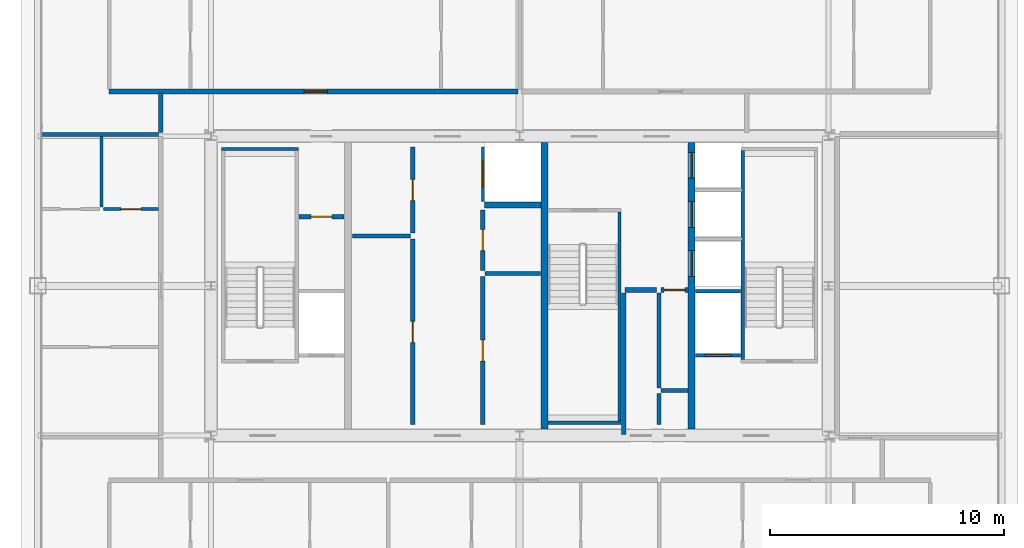
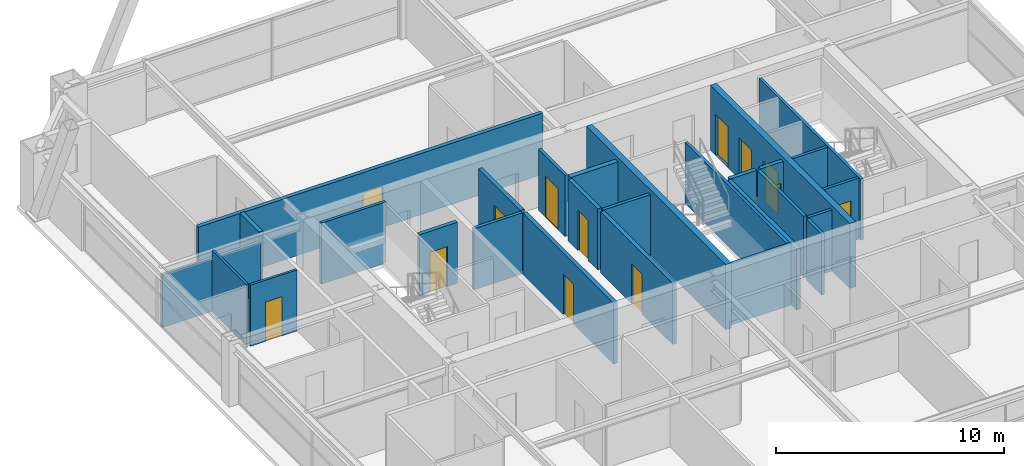
# One storey, part 32 of 35: 28 walls, 13 doors, 13 openings.
"""IFC4 building model written with IfcOpenShell, lengths in metres."""

from ifc_helpers import new_model, si_unit, direction, frame, frame_2d, origin, place, context, subcontext, project, spatial, rectangle, extrude, source, transform, mapped, material, layer, layer_set, type_object, element, fill, save


model = new_model("IFC4")

# Units and contexts
model_context = context("Model", 3, precision=1e-05, world=origin(), true_north=direction((0.0, 1.0)))
body_context = subcontext(model_context, "Body", "Model", "MODEL_VIEW")
ifc_project = project(units=[si_unit("LENGTHUNIT", "METRE"), si_unit("AREAUNIT", "SQUARE_METRE"), si_unit("VOLUMEUNIT", "CUBIC_METRE"), si_unit("PLANEANGLEUNIT", "RADIAN"), si_unit("MASSUNIT", "GRAM", prefix="KILO"), si_unit("THERMODYNAMICTEMPERATUREUNIT", "KELVIN"), si_unit("POWERUNIT", "WATT")], contexts=[model_context])

# Site, building, storey
site_placement = place(None, origin())
site = spatial("IfcSite", under=ifc_project, at=site_placement, CompositionType="ELEMENT")
building_placement = place(site_placement, origin())
building = spatial("IfcBuilding", under=site, at=building_placement, Name="Yuzanri Waterfront Tower", CompositionType="ELEMENT")
storey_placement = place(building_placement, frame((0.0, 0.0, 271.60009765625)))
storey = spatial("IfcBuildingStorey", under=building, at=storey_placement, Name="L72", CompositionType="ELEMENT", Elevation=271.60009765625)

# Wall, opening, door
ifc_material_1 = material(Name="Moisture-Resistant Gypsum Stud Wall", Category="gypsum")
ifc_layer_1 = layer(ifc_material_1, 0.1201171875)
ifc_layer_set_1 = layer_set([ifc_layer_1], Name="Moisture-Resistant Gypsum Stud Wall")
wall_type_1 = type_object("IfcWallType", Name="Bathroom and Kitchen Wet Partition 120", PredefinedType="PARTITIONING", material=ifc_layer_set_1)
wall_1_placement = place(storey_placement, frame((19.195068359375, 29.080078125, 0.0), z_axis=(0.0, 0.0, 1.0), x_axis=(1.0, 0.0, 0.0)))
wall_1 = element("IfcWall", 1, at=wall_1_placement, inside=storey, type_object=wall_type_1, Name="L72 Partition UW-L72-HW1-SUB-2-S", PredefinedType="PARTITIONING", context=body_context, shape_type="SweptSolid", body=[
    extrude(rectangle(XDim=2.35498046875, YDim=0.1201171875, at=frame_2d((1.177490234375, 0.0))), origin(), (0.0, 0.0, 1.0), 3.27978515625),
])
opening_1_placement = place(wall_1_placement, frame((0.75244140625, 0.0, 0.0)))
opening_1 = element("IfcOpeningElement", 2, at=opening_1_placement, cuts=wall_1, Name="Opening ID-0850", PredefinedType="OPENING", context=body_context, shape_type="SweptSolid", body=[
    extrude(rectangle(XDim=0.85009765625, YDim=2.10009765625, at=frame_2d((0.425048828125, 1.050048828125))), frame((0.0, 0.074951171875, 0.0), z_axis=(0.0, -1.0, 0.0), x_axis=(1.0, 0.0, 0.0)), (0.0, 0.0, 1.0), 0.14990234375),
])
ifc_material_2 = material(Name="Moisture-Resistant Lacquered Timber", Category="wood")
door_type_1 = type_object("IfcDoorType", Name="En-Suite Bathroom and Kitchen Swing Door 850x2100", OperationType="NOTDEFINED", PredefinedType="DOOR", material=ifc_material_2)
shared_shape_1 = source(origin(), body_context, "Body", "SweptSolid", [
    extrude(rectangle(XDim=0.85009765625, YDim=2.10009765625, at=frame_2d((0.425048828125, 1.050048828125))), frame((0.0, 0.02490234375, 0.0), z_axis=(0.0, -1.0, 0.0), x_axis=(1.0, 0.0, 0.0)), (0.0, 0.0, 1.0), 0.050048828125),
])
door_1_placement = place(opening_1_placement, origin())
door_1 = element("IfcDoor", 3, at=door_1_placement, inside=storey, type_object=door_type_1, Name="L72 Suite Interior Room Door", OperationType="SINGLE_SWING_RIGHT", OverallHeight=2.10009765625, OverallWidth=0.85009765625, PredefinedType="DOOR", context=body_context, shape_type="MappedRepresentation", body=[
    mapped(shared_shape_1, transform((0.0, 0.0, 0.0), scale=1.0)),
])
fill(opening_1, door_1)

# Wall, openings, doors
ifc_material_3 = material(Name="Concrete C50", Category="concrete")
ifc_layer_2 = layer(ifc_material_3, 0.300048828125)
ifc_layer_set_2 = layer_set([ifc_layer_2], Name="Concrete C50")
wall_type_2 = type_object("IfcWallType", Name="Concrete C50 Internal Core Shaft Structural Wall 300", PredefinedType="SOLIDWALL", material=ifc_layer_set_2)
wall_2_placement = place(storey_placement, frame((44.35009765625, 19.675048828125, 0.0), z_axis=(0.0, 0.0, 1.0), x_axis=(0.0, 1.0, 0.0)))
wall_2 = element("IfcWall", 4, at=wall_2_placement, inside=storey, type_object=wall_type_2, Name="L72 Core Internal Structural Web Wall 3", PredefinedType="SOLIDWALL", context=body_context, shape_type="SweptSolid", body=[
    extrude(rectangle(XDim=12.25, YDim=0.300048828125, at=frame_2d((6.125, 0.0))), origin(), (0.0, 0.0, 1.0), 3.5),
])
opening_2_placement = place(wall_2_placement, frame((6.52490234375, 0.0, 0.0)))
opening_2 = element("IfcOpeningElement", 5, at=opening_2_placement, cuts=wall_2, Name="Opening LD-PL-09", PredefinedType="OPENING", context=body_context, shape_type="SweptSolid", body=[
    extrude(rectangle(XDim=1.10009765625, YDim=2.199951171875, at=frame_2d((0.550048828125, 1.10009765625))), frame((0.0, 0.1650390625, 0.0), z_axis=(0.0, -1.0, 0.0), x_axis=(1.0, 0.0, 0.0)), (0.0, 0.0, 1.0), 0.329833984375),
])
opening_3_placement = place(wall_2_placement, frame((8.625, 0.0, 0.0)))
opening_3 = element("IfcOpeningElement", 6, at=opening_3_placement, cuts=wall_2, Name="Opening LD-PL-10", PredefinedType="OPENING", context=body_context, shape_type="SweptSolid", body=[
    extrude(rectangle(XDim=1.10009765625, YDim=2.199951171875, at=frame_2d((0.550048828125, 1.10009765625))), frame((0.0, 0.1650390625, 0.0), z_axis=(0.0, -1.0, 0.0), x_axis=(1.0, 0.0, 0.0)), (0.0, 0.0, 1.0), 0.329833984375),
])
opening_4_placement = place(wall_2_placement, frame((10.72509765625, 0.0, 0.0)))
opening_4 = element("IfcOpeningElement", 7, at=opening_4_placement, cuts=wall_2, Name="Opening LD-PL-11", PredefinedType="OPENING", context=body_context, shape_type="SweptSolid", body=[
    extrude(rectangle(XDim=1.10009765625, YDim=2.199951171875, at=frame_2d((0.550048828125, 1.10009765625))), frame((0.0, 0.1650390625, 0.0), z_axis=(0.0, -1.0, 0.0), x_axis=(1.0, 0.0, 0.0)), (0.0, 0.0, 1.0), 0.329833984375),
])
ifc_material_4 = material(Name="Brushed Bronze and Stainless Steel Cab", Category="steel")
door_type_2 = type_object("IfcDoorType", Name="Center-Parting Bronze Lift Landing Sliding Door 1100x2200", OperationType="NOTDEFINED", PredefinedType="DOOR", material=ifc_material_4)
shared_shape_2 = source(origin(), body_context, "Body", "SweptSolid", [
    extrude(rectangle(XDim=1.10009765625, YDim=2.199951171875, at=frame_2d((0.550048828125, 1.10009765625))), frame((0.0, 0.02490234375, 0.0), z_axis=(0.0, -1.0, 0.0), x_axis=(1.0, 0.0, 0.0)), (0.0, 0.0, 1.0), 0.050048828125),
])
door_2_placement = place(opening_2_placement, origin())
door_2 = element("IfcDoor", 8, at=door_2_placement, inside=storey, type_object=door_type_2, Name="L72 PL-09 Lift Landing Sliding Door", OperationType="SLIDING_TO_LEFT", OverallHeight=2.199951171875, OverallWidth=1.10009765625, PredefinedType="DOOR", context=body_context, shape_type="MappedRepresentation", body=[
    mapped(shared_shape_2, transform((0.0, 0.0, 0.0), scale=1.0)),
])
fill(opening_2, door_2)
door_3_placement = place(opening_3_placement, origin())
door_3 = element("IfcDoor", 9, at=door_3_placement, inside=storey, type_object=door_type_2, Name="L72 PL-10 Lift Landing Sliding Door", OperationType="SLIDING_TO_RIGHT", OverallHeight=2.199951171875, OverallWidth=1.10009765625, PredefinedType="DOOR", context=body_context, shape_type="MappedRepresentation", body=[
    mapped(shared_shape_2, transform((0.0, 0.0, 0.0), scale=1.0)),
])
fill(opening_3, door_3)
door_4_placement = place(opening_4_placement, origin())
door_4 = element("IfcDoor", 10, at=door_4_placement, inside=storey, type_object=door_type_2, Name="L72 PL-11 Lift Landing Sliding Door", OperationType="SLIDING_TO_LEFT", OverallHeight=2.199951171875, OverallWidth=1.10009765625, PredefinedType="DOOR", context=body_context, shape_type="MappedRepresentation", body=[
    mapped(shared_shape_2, transform((0.0, 0.0, 0.0), scale=1.0)),
])
fill(opening_4, door_4)

# Wall, opening, door
ifc_material_5 = material(Name="Concrete C40", Category="concrete")
ifc_layer_3 = layer(ifc_material_5, 0.139892578125)
ifc_layer_set_3 = layer_set([ifc_layer_3], Name="Concrete C40")
wall_type_3 = type_object("IfcWallType", Name="Core Stair Liner and Hoistway Shaft Wall 140", PredefinedType="SOLIDWALL", material=ifc_layer_set_3)
wall_3_placement = place(storey_placement, frame((44.52001953125, 22.830078125, 0.0), z_axis=(0.0, 0.0, 1.0), x_axis=(1.0, 0.0, 0.0)))
wall_3 = element("IfcWall", 11, at=wall_3_placement, inside=storey, type_object=wall_type_3, Name="L72 Lift FL-02 Front Shaft Wall", PredefinedType="SOLIDWALL", context=body_context, shape_type="SweptSolid", body=[
    extrude(rectangle(XDim=1.919921875, YDim=0.139892578125, at=frame_2d((0.9599609375, 0.0))), origin(), (0.0, 0.0, 1.0), 3.27978515625),
])
opening_5_placement = place(wall_3_placement, frame((0.409912109375, 0.0, 0.0)))
opening_5 = element("IfcOpeningElement", 12, at=opening_5_placement, cuts=wall_3, Name="Opening LD-FL-02", PredefinedType="OPENING", context=body_context, shape_type="SweptSolid", body=[
    extrude(rectangle(XDim=1.10009765625, YDim=2.199951171875, at=frame_2d((0.550048828125, 1.10009765625))), frame((0.0, 0.0849609375, 0.0), z_axis=(0.0, -1.0, 0.0), x_axis=(1.0, 0.0, 0.0)), (0.0, 0.0, 1.0), 0.169677734375),
])
door_5_placement = place(opening_5_placement, origin())
door_5 = element("IfcDoor", 13, at=door_5_placement, inside=storey, type_object=door_type_2, Name="L72 FL-02 Lift Landing Sliding Door", OperationType="SLIDING_TO_RIGHT", OverallHeight=2.199951171875, OverallWidth=1.10009765625, PredefinedType="DOOR", context=body_context, shape_type="MappedRepresentation", body=[
    mapped(shared_shape_2, transform((0.0, 0.0, 0.0), scale=1.0)),
])
fill(opening_5, door_5)

wall_4_placement = place(storey_placement, frame((35.429931640625, 29.39990234375, 0.0), z_axis=(0.0, 0.0, 1.0), x_axis=(0.0, 1.0, 0.0)))
wall_4 = element("IfcWall", 14, at=wall_4_placement, inside=storey, type_object=wall_type_3, Name="L72 Lift SL-02 Front Shaft Wall", PredefinedType="SOLIDWALL", context=body_context, shape_type="SweptSolid", body=[
    extrude(rectangle(XDim=2.340087890625, YDim=0.139892578125, at=frame_2d((1.169921875, 0.0))), origin(), (0.0, 0.0, 1.0), 3.27978515625),
])
opening_6_placement = place(wall_4_placement, frame((0.6201171875, 0.0, 0.0)))
opening_6 = element("IfcOpeningElement", 15, at=opening_6_placement, cuts=wall_4, Name="Opening LD-SL-02", PredefinedType="OPENING", context=body_context, shape_type="SweptSolid", body=[
    extrude(rectangle(XDim=1.10009765625, YDim=2.199951171875, at=frame_2d((0.550048828125, 1.10009765625))), frame((0.0, 0.0849609375, 0.0), z_axis=(0.0, -1.0, 0.0), x_axis=(1.0, 0.0, 0.0)), (0.0, 0.0, 1.0), 0.169677734375),
])
door_6_placement = place(opening_6_placement, origin())
door_6 = element("IfcDoor", 16, at=door_6_placement, inside=storey, type_object=door_type_2, Name="L72 SL-02 Lift Landing Sliding Door", OperationType="SLIDING_TO_RIGHT", OverallHeight=2.199951171875, OverallWidth=1.10009765625, PredefinedType="DOOR", context=body_context, shape_type="MappedRepresentation", body=[
    mapped(shared_shape_2, transform((0.0, 0.0, 0.0), scale=1.0)),
])
fill(opening_6, door_6)

ifc_material_6 = material(Name="Autoclaved Aerated Concrete Blockwork", Category="masonry")
ifc_layer_4 = layer(ifc_material_6, 0.199951171875)
ifc_layer_set_4 = layer_set([ifc_layer_4], Name="Autoclaved Aerated Concrete Blockwork")
wall_type_4 = type_object("IfcWallType", Name="Corridor and Unit Party Fire Wall 200", PredefinedType="PARTITIONING", material=ifc_layer_set_4)
wall_5_placement = place(storey_placement, frame((27.56005859375, 28.75, 0.0), z_axis=(0.0, 0.0, 1.0), x_axis=(1.0, 0.0, 0.0)))
wall_5 = element("IfcWall", 17, at=wall_5_placement, inside=storey, type_object=wall_type_4, Name="L72 Partition CRW-L72-ERTR", PredefinedType="PARTITIONING", context=body_context, shape_type="SweptSolid", body=[
    extrude(rectangle(XDim=1.919921875, YDim=0.199951171875, at=frame_2d((0.9599609375, 0.0))), origin(), (0.0, 0.0, 1.0), 3.27978515625),
])
opening_7_placement = place(wall_5_placement, frame((0.510009765625, 0.0, 0.0)))
opening_7 = element("IfcOpeningElement", 18, at=opening_7_placement, cuts=wall_5, Name="Opening FD-0900", PredefinedType="OPENING", context=body_context, shape_type="SweptSolid", body=[
    extrude(rectangle(XDim=0.89990234375, YDim=2.14990234375, at=frame_2d((0.449951171875, 1.074951171875))), frame((0.0, 0.11474609375, 0.0), z_axis=(0.0, -1.0, 0.0), x_axis=(1.0, 0.0, 0.0)), (0.0, 0.0, 1.0), 0.229736328125),
])
ifc_material_7 = material(Name="Painted Galvanized Fire Steel", Category="steel")
door_type_3 = type_object("IfcDoorType", Name="Riser and Service Room Fire Door 900x2150", OperationType="NOTDEFINED", PredefinedType="DOOR", material=ifc_material_7)
shared_shape_3 = source(origin(), body_context, "Body", "SweptSolid", [
    extrude(rectangle(XDim=0.89990234375, YDim=2.14990234375, at=frame_2d((0.449951171875, 1.074951171875))), frame((0.0, 0.02490234375, 0.0), z_axis=(0.0, -1.0, 0.0), x_axis=(1.0, 0.0, 0.0)), (0.0, 0.0, 1.0), 0.050048828125),
])
door_7_placement = place(opening_7_placement, origin())
door_7 = element("IfcDoor", 19, at=door_7_placement, inside=storey, type_object=door_type_3, Name="L72 Electrical Riser Door", OperationType="SINGLE_SWING_LEFT", OverallHeight=2.14990234375, OverallWidth=0.89990234375, PredefinedType="DOOR", context=body_context, shape_type="MappedRepresentation", body=[
    mapped(shared_shape_3, transform((0.0, 0.0, 0.0), scale=1.0)),
])
fill(opening_7, door_7)

wall_6_placement = place(storey_placement, frame((32.419921875, 19.860107421875, 0.0), z_axis=(0.0, 0.0, 1.0), x_axis=(0.0, 1.0, 0.0)))
wall_6 = element("IfcWall", 20, at=wall_6_placement, inside=storey, type_object=wall_type_4, Name="L72 Partition CRW-L72-B1R-1", PredefinedType="PARTITIONING", context=body_context, shape_type="SweptSolid", body=[
    extrude(rectangle(XDim=7.93994140625, YDim=0.199951171875, at=frame_2d((3.969970703125, 0.0))), origin(), (0.0, 0.0, 1.0), 3.27978515625),
])
opening_8_placement = place(wall_6_placement, frame((3.52001953125, 0.0, 0.0)))
opening_8 = element("IfcOpeningElement", 21, at=opening_8_placement, cuts=wall_6, Name="Opening FD-0900", PredefinedType="OPENING", context=body_context, shape_type="SweptSolid", body=[
    extrude(rectangle(XDim=0.89990234375, YDim=2.14990234375, at=frame_2d((0.449951171875, 1.074951171875))), frame((0.0, 0.11474609375, 0.0), z_axis=(0.0, -1.0, 0.0), x_axis=(1.0, 0.0, 0.0)), (0.0, 0.0, 1.0), 0.229736328125),
])
door_8_placement = place(opening_8_placement, origin())
door_8 = element("IfcDoor", 22, at=door_8_placement, inside=storey, type_object=door_type_3, Name="L72 General Store Room", OperationType="SINGLE_SWING_RIGHT", OverallHeight=2.14990234375, OverallWidth=0.89990234375, PredefinedType="DOOR", context=body_context, shape_type="MappedRepresentation", body=[
    mapped(shared_shape_3, transform((0.0, 0.0, 0.0), scale=1.0)),
])
fill(opening_8, door_8)

wall_7_placement = place(storey_placement, frame((32.419921875, 28.050048828125, 0.0), z_axis=(0.0, 0.0, 1.0), x_axis=(0.0, 1.0, 0.0)))
wall_7 = element("IfcWall", 23, at=wall_7_placement, inside=storey, type_object=wall_type_4, Name="L72 Partition CRW-L72-B1R-2", PredefinedType="PARTITIONING", context=body_context, shape_type="SweptSolid", body=[
    extrude(rectangle(XDim=3.68994140625, YDim=0.199951171875, at=frame_2d((1.844970703125, 0.0))), origin(), (0.0, 0.0, 1.0), 3.27978515625),
])
opening_9_placement = place(wall_7_placement, frame((1.39501953125, 0.0, 0.0)))
opening_9 = element("IfcOpeningElement", 24, at=opening_9_placement, cuts=wall_7, Name="Opening FD-0900", PredefinedType="OPENING", context=body_context, shape_type="SweptSolid", body=[
    extrude(rectangle(XDim=0.89990234375, YDim=2.14990234375, at=frame_2d((0.449951171875, 1.074951171875))), frame((0.0, 0.11474609375, 0.0), z_axis=(0.0, -1.0, 0.0), x_axis=(1.0, 0.0, 0.0)), (0.0, 0.0, 1.0), 0.229736328125),
])
door_9_placement = place(opening_9_placement, origin())
door_9 = element("IfcDoor", 25, at=door_9_placement, inside=storey, type_object=door_type_3, Name="L72 Water Riser Shaft", OperationType="SINGLE_SWING_LEFT", OverallHeight=2.14990234375, OverallWidth=0.89990234375, PredefinedType="DOOR", context=body_context, shape_type="MappedRepresentation", body=[
    mapped(shared_shape_3, transform((0.0, 0.0, 0.0), scale=1.0)),
])
fill(opening_9, door_9)

wall_8_placement = place(storey_placement, frame((35.419921875, 19.860107421875, 0.0), z_axis=(0.0, 0.0, 1.0), x_axis=(0.0, 1.0, 0.0)))
wall_8 = element("IfcWall", 26, at=wall_8_placement, inside=storey, type_object=wall_type_4, Name="L72 Partition CRW-L72-B2R-1", PredefinedType="PARTITIONING", context=body_context, shape_type="SweptSolid", body=[
    extrude(rectangle(XDim=6.33984375, YDim=0.199951171875, at=frame_2d((3.169921875, 0.0))), origin(), (0.0, 0.0, 1.0), 3.27978515625),
])
opening_10_placement = place(wall_8_placement, frame((2.719970703125, 0.0, 0.0)))
opening_10 = element("IfcOpeningElement", 27, at=opening_10_placement, cuts=wall_8, Name="Opening FD-0900", PredefinedType="OPENING", context=body_context, shape_type="SweptSolid", body=[
    extrude(rectangle(XDim=0.89990234375, YDim=2.14990234375, at=frame_2d((0.449951171875, 1.074951171875))), frame((0.0, 0.11474609375, 0.0), z_axis=(0.0, -1.0, 0.0), x_axis=(1.0, 0.0, 0.0)), (0.0, 0.0, 1.0), 0.229736328125),
])
door_10_placement = place(opening_10_placement, origin())
door_10 = element("IfcDoor", 28, at=door_10_placement, inside=storey, type_object=door_type_3, Name="L72 Upper Service Store Room", OperationType="SINGLE_SWING_RIGHT", OverallHeight=2.14990234375, OverallWidth=0.89990234375, PredefinedType="DOOR", context=body_context, shape_type="MappedRepresentation", body=[
    mapped(shared_shape_3, transform((0.0, 0.0, 0.0), scale=1.0)),
])
fill(opening_10, door_10)

wall_9_placement = place(storey_placement, frame((35.419921875, 26.449951171875, 0.0), z_axis=(0.0, 0.0, 1.0), x_axis=(0.0, 1.0, 0.0)))
wall_9 = element("IfcWall", 29, at=wall_9_placement, inside=storey, type_object=wall_type_4, Name="L72 Partition CRW-L72-B2R-2", PredefinedType="PARTITIONING", context=body_context, shape_type="SweptSolid", body=[
    extrude(rectangle(XDim=2.60009765625, YDim=0.199951171875, at=frame_2d((1.300048828125, 0.0))), origin(), (0.0, 0.0, 1.0), 3.27978515625),
])
opening_11_placement = place(wall_9_placement, frame((0.85009765625, 0.0, 0.0)))
opening_11 = element("IfcOpeningElement", 30, at=opening_11_placement, cuts=wall_9, Name="Opening FD-0900", PredefinedType="OPENING", context=body_context, shape_type="SweptSolid", body=[
    extrude(rectangle(XDim=0.89990234375, YDim=2.14990234375, at=frame_2d((0.449951171875, 1.074951171875))), frame((0.0, 0.11474609375, 0.0), z_axis=(0.0, -1.0, 0.0), x_axis=(1.0, 0.0, 0.0)), (0.0, 0.0, 1.0), 0.229736328125),
])
door_11_placement = place(opening_11_placement, origin())
door_11 = element("IfcDoor", 31, at=door_11_placement, inside=storey, type_object=door_type_3, Name="L72 Meter and Valve Store Room", OperationType="SINGLE_SWING_LEFT", OverallHeight=2.14990234375, OverallWidth=0.89990234375, PredefinedType="DOOR", context=body_context, shape_type="MappedRepresentation", body=[
    mapped(shared_shape_3, transform((0.0, 0.0, 0.0), scale=1.0)),
])
fill(opening_11, door_11)

wall_10_placement = place(storey_placement, frame((43.050048828125, 25.6201171875, 0.0), z_axis=(0.0, 0.0, 1.0), x_axis=(1.0, 0.0, 0.0)))
wall_10 = element("IfcWall", 32, at=wall_10_placement, inside=storey, type_object=wall_type_4, Name="L72 Partition CRW-L72-BOHH-2", PredefinedType="PARTITIONING", context=body_context, shape_type="SweptSolid", body=[
    extrude(rectangle(XDim=1.14990234375, YDim=0.199951171875, at=frame_2d((0.574951171875, 0.0))), origin(), (0.0, 0.0, 1.0), 3.27978515625),
])
opening_12_placement = place(wall_10_placement, frame((0.1201171875, 0.0, 0.0)))
opening_12 = element("IfcOpeningElement", 33, at=opening_12_placement, cuts=wall_10, Name="Opening FD-0900", PredefinedType="OPENING", context=body_context, shape_type="SweptSolid", body=[
    extrude(rectangle(XDim=0.89990234375, YDim=2.14990234375, at=frame_2d((0.449951171875, 1.074951171875))), frame((0.0, 0.11474609375, 0.0), z_axis=(0.0, -1.0, 0.0), x_axis=(1.0, 0.0, 0.0)), (0.0, 0.0, 1.0), 0.229736328125),
])
door_12_placement = place(opening_12_placement, origin())
door_12 = element("IfcDoor", 34, at=door_12_placement, inside=storey, type_object=door_type_3, Name="L72 Linen Store Room", OperationType="SINGLE_SWING_RIGHT", OverallHeight=2.14990234375, OverallWidth=0.89990234375, PredefinedType="DOOR", context=body_context, shape_type="MappedRepresentation", body=[
    mapped(shared_shape_3, transform((0.0, 0.0, 0.0), scale=1.0)),
])
fill(opening_12, door_12)

wall_11_placement = place(storey_placement, frame((19.43994140625, 34.110107421875, 0.0), z_axis=(0.0, 0.0, 1.0), x_axis=(1.0, 0.0, 0.0)))
wall_11 = element("IfcWall", 35, at=wall_11_placement, inside=storey, type_object=wall_type_4, Name="L72 Partition UW-L72-HN1-CS", PredefinedType="PARTITIONING", context=body_context, shape_type="SweptSolid", body=[
    extrude(rectangle(XDim=17.47998046875, YDim=0.199951171875, at=frame_2d((8.739990234375, 0.0))), origin(), (0.0, 0.0, 1.0), 3.27978515625),
])
opening_13_placement = place(wall_11_placement, frame((8.340087890625, 0.0, 0.0)))
opening_13 = element("IfcOpeningElement", 36, at=opening_13_placement, cuts=wall_11, Name="Opening FD-1000", PredefinedType="OPENING", context=body_context, shape_type="SweptSolid", body=[
    extrude(rectangle(XDim=1.0, YDim=2.199951171875, at=frame_2d((0.5, 1.10009765625))), frame((0.0, 0.11474609375, 0.0), z_axis=(0.0, -1.0, 0.0), x_axis=(1.0, 0.0, 0.0)), (0.0, 0.0, 1.0), 0.229736328125),
])
ifc_material_8 = material(Name="Engineered Oak Fire-Rated Timber", Category="wood")
door_type_4 = type_object("IfcDoorType", Name="Guestroom and Apartment Entrance Fire Door 1000x2200", OperationType="NOTDEFINED", PredefinedType="DOOR", material=ifc_material_8)
shared_shape_4 = source(origin(), body_context, "Body", "SweptSolid", [
    extrude(rectangle(XDim=1.0, YDim=2.199951171875, at=frame_2d((0.5, 1.10009765625))), frame((0.0, 0.02490234375, 0.0), z_axis=(0.0, -1.0, 0.0), x_axis=(1.0, 0.0, 0.0)), (0.0, 0.0, 1.0), 0.050048828125),
])
door_13_placement = place(opening_13_placement, origin())
door_13 = element("IfcDoor", 37, at=door_13_placement, inside=storey, type_object=door_type_4, Name="L72 Studio Living and Sleeping Room Entrance Door", OperationType="SINGLE_SWING_RIGHT", OverallHeight=2.199951171875, OverallWidth=1.0, PredefinedType="DOOR", context=body_context, shape_type="MappedRepresentation", body=[
    mapped(shared_shape_4, transform((0.0, 0.0, 0.0), scale=1.0)),
])
fill(opening_13, door_13)

# Walls
shared_shape_5 = source(origin(), body_context, "Body", "SweptSolid", [
    extrude(rectangle(XDim=12.25, YDim=0.300048828125, at=frame_2d((6.125, 0.0))), origin(), (0.0, 0.0, 1.0), 3.5),
])
wall_12_placement = place(storey_placement, frame((38.050048828125, 19.675048828125, 0.0), z_axis=(0.0, 0.0, 1.0), x_axis=(0.0, 1.0, 0.0)))
element("IfcWall", 38, at=wall_12_placement, inside=storey, type_object=wall_type_2, Name="L72 Core Internal Structural Web Wall 2", PredefinedType="SOLIDWALL", context=body_context, shape_type="MappedRepresentation", body=[
    mapped(shared_shape_5, transform((0.0, 0.0, 0.0), scale=1.0)),
])
shared_shape_6 = source(origin(), body_context, "Body", "SweptSolid", [
    extrude(rectangle(XDim=1.919921875, YDim=0.139892578125, at=frame_2d((0.9599609375, 0.0))), origin(), (0.0, 0.0, 1.0), 3.27978515625),
])
wall_13_placement = place(storey_placement, frame((44.52001953125, 25.570068359375, 0.0), z_axis=(0.0, 0.0, 1.0), x_axis=(1.0, 0.0, 0.0)))
element("IfcWall", 39, at=wall_13_placement, inside=storey, type_object=wall_type_3, Name="L72 Lift FL-02 Back Shaft Wall", PredefinedType="SOLIDWALL", context=body_context, shape_type="MappedRepresentation", body=[
    mapped(shared_shape_6, transform((0.0, 0.0, 0.0), scale=1.0)),
])
ifc_material_9 = material(Name="Concrete C40", Category="concrete")
ifc_layer_5 = layer(ifc_material_9, 0.25)
ifc_layer_set_5 = layer_set([ifc_layer_5], Name="Concrete C40")
wall_type_5 = type_object("IfcWallType", Name="Smoke-Proof Stair and Lift Shaft Wall 250", PredefinedType="SOLIDWALL", material=ifc_layer_set_5)
shared_shape_7 = source(origin(), body_context, "Body", "SweptSolid", [
    extrude(rectangle(XDim=2.39990234375, YDim=0.25, at=frame_2d((1.199951171875, 0.0))), origin(), (0.0, 0.0, 1.0), 3.27978515625),
])
wall_14_placement = place(storey_placement, frame((35.5, 29.25, 0.0), z_axis=(0.0, 0.0, 1.0), x_axis=(1.0, 0.0, 0.0)))
element("IfcWall", 40, at=wall_14_placement, inside=storey, type_object=wall_type_5, Name="L72 Lift SL-02 South Shaft Wall", PredefinedType="SOLIDWALL", context=body_context, shape_type="MappedRepresentation", body=[
    mapped(shared_shape_7, transform((0.0, 0.0, 0.0), scale=1.0)),
])
shared_shape_8 = source(origin(), body_context, "Body", "SweptSolid", [
    extrude(rectangle(XDim=3.280029296875, YDim=0.139892578125, at=frame_2d((1.64013671875, 0.0))), origin(), (0.0, 0.0, 1.0), 3.27978515625),
])
wall_15_placement = place(storey_placement, frame((24.260009765625, 31.64990234375, 0.0), z_axis=(0.0, 0.0, 1.0), x_axis=(1.0, 0.0, 0.0)))
element("IfcWall", 41, at=wall_15_placement, inside=storey, type_object=wall_type_3, Name="L72 Stair ST-01 North Shaft Wall", PredefinedType="SOLIDWALL", context=body_context, shape_type="MappedRepresentation", body=[
    mapped(shared_shape_8, transform((0.0, 0.0, 0.0), scale=1.0)),
])
shared_shape_9 = source(origin(), body_context, "Body", "SweptSolid", [
    extrude(rectangle(XDim=8.940185546875, YDim=0.139892578125, at=frame_2d((4.47021484375, 0.0))), origin(), (0.0, 0.0, 1.0), 3.27978515625),
])
wall_16_placement = place(storey_placement, frame((46.530029296875, 22.639892578125, 0.0), z_axis=(0.0, 0.0, 1.0), x_axis=(0.0, 1.0, 0.0)))
element("IfcWall", 42, at=wall_16_placement, inside=storey, type_object=wall_type_3, Name="L72 Stair ST-02 West Shaft Wall", PredefinedType="SOLIDWALL", context=body_context, shape_type="MappedRepresentation", body=[
    mapped(shared_shape_9, transform((0.0, 0.0, 0.0), scale=1.0)),
])
shared_shape_10 = source(origin(), body_context, "Body", "SweptSolid", [
    extrude(rectangle(XDim=3.14013671875, YDim=0.139892578125, at=frame_2d((1.570068359375, 0.0))), origin(), (0.0, 0.0, 1.0), 3.27978515625),
])
wall_17_placement = place(storey_placement, frame((38.199951171875, 19.949951171875, 0.0), z_axis=(0.0, 0.0, 1.0), x_axis=(1.0, 0.0, 0.0)))
element("IfcWall", 43, at=wall_17_placement, inside=storey, type_object=wall_type_3, Name="L72 Stair ST-03 South Shaft Wall", PredefinedType="SOLIDWALL", context=body_context, shape_type="MappedRepresentation", body=[
    mapped(shared_shape_10, transform((0.0, 0.0, 0.0), scale=1.0)),
])
shared_shape_11 = source(origin(), body_context, "Body", "SweptSolid", [
    extrude(rectangle(XDim=8.93994140625, YDim=0.139892578125, at=frame_2d((4.469970703125, 0.0))), origin(), (0.0, 0.0, 1.0), 3.27978515625),
])
wall_18_placement = place(storey_placement, frame((41.27001953125, 20.02001953125, 0.0), z_axis=(0.0, 0.0, 1.0), x_axis=(0.0, 1.0, 0.0)))
element("IfcWall", 44, at=wall_18_placement, inside=storey, type_object=wall_type_3, Name="L72 Stair ST-03 East Shaft Wall", PredefinedType="SOLIDWALL", context=body_context, shape_type="MappedRepresentation", body=[
    mapped(shared_shape_11, transform((0.0, 0.0, 0.0), scale=1.0)),
])
ifc_material_10 = material(Name="Gypsum Fireboard Acoustic Stud Wall", Category="gypsum")
ifc_layer_6 = layer(ifc_material_10, 0.159912109375)
ifc_layer_set_6 = layer_set([ifc_layer_6], Name="Gypsum Fireboard Acoustic Stud Wall")
wall_type_6 = type_object("IfcWallType", Name="Acoustic Suite Demising Partition 160", PredefinedType="PARTITIONING", material=ifc_layer_set_6)
shared_shape_12 = source(origin(), body_context, "Body", "SweptSolid", [
    extrude(rectangle(XDim=2.469970703125, YDim=0.159912109375, at=frame_2d((1.23486328125, 0.0))), origin(), (0.0, 0.0, 1.0), 3.27978515625),
])
wall_19_placement = place(storey_placement, frame((29.85009765625, 27.929931640625, 0.0), z_axis=(0.0, 0.0, 1.0), x_axis=(1.0, 0.0, 0.0)))
element("IfcWall", 45, at=wall_19_placement, inside=storey, type_object=wall_type_6, Name="L72 Reclaimed Core Divider 2", PredefinedType="PARTITIONING", context=body_context, shape_type="MappedRepresentation", body=[
    mapped(shared_shape_12, transform((0.0, 0.0, 0.0), scale=1.0)),
])
shared_shape_13 = source(origin(), body_context, "Body", "SweptSolid", [
    extrude(rectangle(XDim=1.33984375, YDim=0.159912109375, at=frame_2d((0.669921875, 0.0))), origin(), (0.0, 0.0, 1.0), 3.27978515625),
])
wall_20_placement = place(storey_placement, frame((42.949951171875, 19.860107421875, 0.0), z_axis=(0.0, 0.0, 1.0), x_axis=(0.0, 1.0, 0.0)))
element("IfcWall", 46, at=wall_20_placement, inside=storey, type_object=wall_type_6, Name="L72 East Wet Riser West Wall", PredefinedType="PARTITIONING", context=body_context, shape_type="MappedRepresentation", body=[
    mapped(shared_shape_13, transform((0.0, 0.0, 0.0), scale=1.0)),
])
shared_shape_14 = source(origin(), body_context, "Body", "SweptSolid", [
    extrude(rectangle(XDim=1.169921875, YDim=0.159912109375, at=frame_2d((0.5849609375, 0.0))), origin(), (0.0, 0.0, 1.0), 3.27978515625),
])
wall_21_placement = place(storey_placement, frame((43.030029296875, 21.320068359375, 0.0), z_axis=(0.0, 0.0, 1.0), x_axis=(1.0, 0.0, 0.0)))
element("IfcWall", 47, at=wall_21_placement, inside=storey, type_object=wall_type_6, Name="L72 East Wet Riser North Wall", PredefinedType="PARTITIONING", context=body_context, shape_type="MappedRepresentation", body=[
    mapped(shared_shape_14, transform((0.0, 0.0, 0.0), scale=1.0)),
])
shared_shape_15 = source(origin(), body_context, "Body", "SweptSolid", [
    extrude(rectangle(XDim=2.35986328125, YDim=0.159912109375, at=frame_2d((1.179931640625, 0.0))), origin(), (0.0, 0.0, 1.0), 3.27978515625),
])
wall_22_placement = place(storey_placement, frame((35.52001953125, 26.330078125, 0.0), z_axis=(0.0, 0.0, 1.0), x_axis=(1.0, 0.0, 0.0)))
element("IfcWall", 48, at=wall_22_placement, inside=storey, type_object=wall_type_6, Name="L72 Reclaimed High-Zone Divider 2", PredefinedType="PARTITIONING", context=body_context, shape_type="MappedRepresentation", body=[
    mapped(shared_shape_15, transform((0.0, 0.0, 0.0), scale=1.0)),
])
shared_shape_16 = source(origin(), body_context, "Body", "SweptSolid", [
    extrude(rectangle(XDim=6.06005859375, YDim=0.199951171875, at=frame_2d((3.030029296875, 0.0))), origin(), (0.0, 0.0, 1.0), 3.27978515625),
])
wall_23_placement = place(storey_placement, frame((41.449951171875, 19.43994140625, 0.0), z_axis=(0.0, 0.0, 1.0), x_axis=(0.0, 1.0, 0.0)))
element("IfcWall", 49, at=wall_23_placement, inside=storey, type_object=wall_type_4, Name="L72 Core BOH West Wall 1", PredefinedType="PARTITIONING", context=body_context, shape_type="MappedRepresentation", body=[
    mapped(shared_shape_16, transform((0.0, 0.0, 0.0), scale=1.0)),
])
shared_shape_17 = source(origin(), body_context, "Body", "SweptSolid", [
    extrude(rectangle(XDim=1.35009765625, YDim=0.199951171875, at=frame_2d((0.675048828125, 0.0))), origin(), (0.0, 0.0, 1.0), 3.27978515625),
])
wall_24_placement = place(storey_placement, frame((41.5, 25.6201171875, 0.0), z_axis=(0.0, 0.0, 1.0), x_axis=(1.0, 0.0, 0.0)))
element("IfcWall", 50, at=wall_24_placement, inside=storey, type_object=wall_type_4, Name="L72 Core BOH Split Wall 1", PredefinedType="PARTITIONING", context=body_context, shape_type="MappedRepresentation", body=[
    mapped(shared_shape_17, transform((0.0, 0.0, 0.0), scale=1.0)),
])
shared_shape_18 = source(origin(), body_context, "Body", "SweptSolid", [
    extrude(rectangle(XDim=4.06005859375, YDim=0.159912109375, at=frame_2d((2.030029296875, 0.0))), origin(), (0.0, 0.0, 1.0), 3.27978515625),
])
wall_25_placement = place(storey_placement, frame((42.949951171875, 21.43994140625, 0.0), z_axis=(0.0, 0.0, 1.0), x_axis=(0.0, 1.0, 0.0)))
element("IfcWall", 51, at=wall_25_placement, inside=storey, type_object=wall_type_6, Name="L72 Core BOH Mid Wall 2", PredefinedType="PARTITIONING", context=body_context, shape_type="MappedRepresentation", body=[
    mapped(shared_shape_18, transform((0.0, 0.0, 0.0), scale=1.0)),
])
shared_shape_19 = source(origin(), body_context, "Body", "SweptSolid", [
    extrude(rectangle(XDim=1.699951171875, YDim=0.199951171875, at=frame_2d((0.85009765625, 0.0))), origin(), (0.0, 0.0, 1.0), 3.27978515625),
])
wall_26_placement = place(storey_placement, frame((21.64990234375, 32.35009765625, 0.0), z_axis=(0.0, 0.0, 1.0), x_axis=(0.0, 1.0, 0.0)))
element("IfcWall", 52, at=wall_26_placement, inside=storey, type_object=wall_type_4, Name="L72 North Foyer West End Wall", PredefinedType="PARTITIONING", context=body_context, shape_type="MappedRepresentation", body=[
    mapped(shared_shape_19, transform((0.0, 0.0, 0.0), scale=1.0)),
])
shared_shape_20 = source(origin(), body_context, "Body", "SweptSolid", [
    extrude(rectangle(XDim=5.0, YDim=0.159912109375, at=frame_2d((2.5, 0.0))), origin(), (0.0, 0.0, 1.0), 2.824951171875),
])
wall_27_placement = place(storey_placement, frame((16.550048828125, 32.27001953125, 0.0), z_axis=(0.0, 0.0, 1.0), x_axis=(1.0, 0.0, 0.0)))
element("IfcWall", 53, at=wall_27_placement, inside=storey, type_object=wall_type_6, Name="L72-HW1 Wing North End Wall", PredefinedType="PARTITIONING", context=body_context, shape_type="MappedRepresentation", body=[
    mapped(shared_shape_20, transform((0.0, 0.0, 0.0), scale=1.0)),
])
shared_shape_21 = source(origin(), body_context, "Body", "SweptSolid", [
    extrude(rectangle(XDim=3.030029296875, YDim=0.1201171875, at=frame_2d((1.51513671875, 0.0))), origin(), (0.0, 0.0, 1.0), 3.27978515625),
])
wall_28_placement = place(storey_placement, frame((19.114990234375, 29.159912109375, 0.0), z_axis=(0.0, 0.0, 1.0), x_axis=(0.0, 1.0, 0.0)))
element("IfcWall", 54, at=wall_28_placement, inside=storey, type_object=wall_type_1, Name="L72 Partition UW-L72-HW1-SUB-1-E", PredefinedType="PARTITIONING", context=body_context, shape_type="MappedRepresentation", body=[
    mapped(shared_shape_21, transform((0.0, 0.0, 0.0), scale=1.0)),
])

save(model, "model.ifc")
